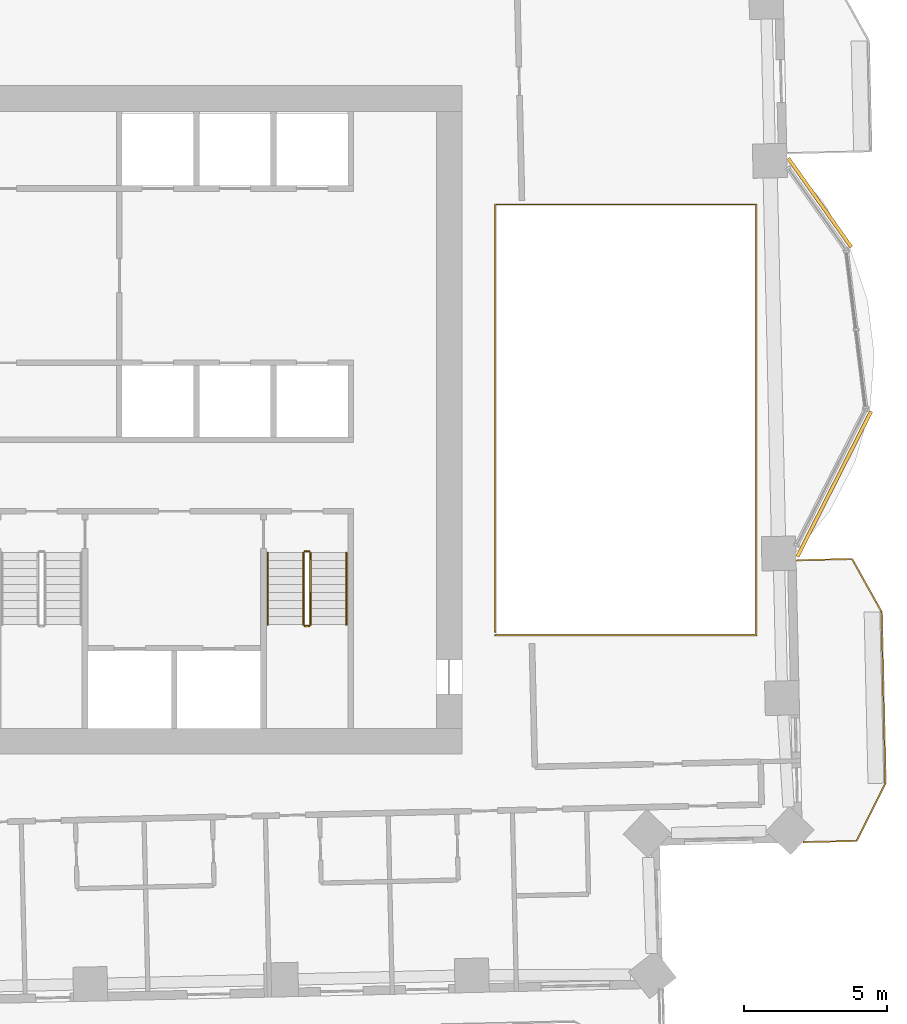
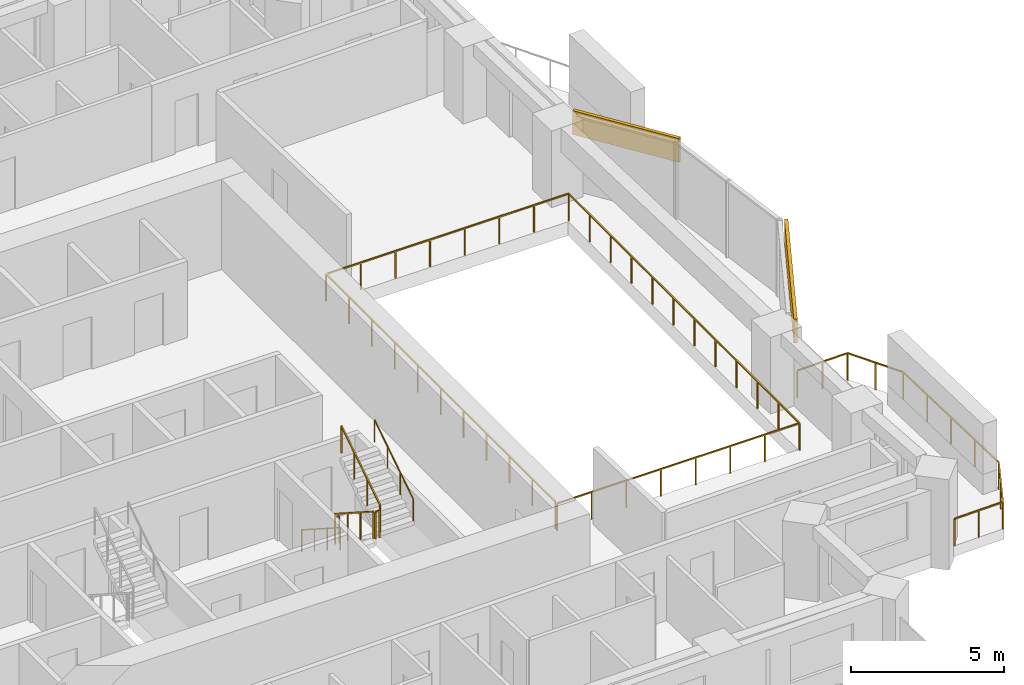
# One storey, part 15 of 16: 8 railings, 2 coverings.
"""IFC4 building model written with IfcOpenShell, lengths in metres."""

from ifc_helpers import new_model, si_unit, direction, frame, frame_2d, origin, origin_2d, place, context, subcontext, project, spatial, rectangle, circle, extrude, material, layer, layer_set, type_object, element, save


model = new_model("IFC4")

# Units and contexts
model_context = context("Model", 3, precision=1e-05, world=origin(), true_north=direction((0.0, 1.0)))
body_context = subcontext(model_context, "Body", "Model", "MODEL_VIEW")
ifc_project = project(units=[si_unit("LENGTHUNIT", "METRE"), si_unit("AREAUNIT", "SQUARE_METRE"), si_unit("VOLUMEUNIT", "CUBIC_METRE"), si_unit("PLANEANGLEUNIT", "RADIAN"), si_unit("MASSUNIT", "GRAM", prefix="KILO")], contexts=[model_context])

# Site, building, storey
site_placement = place(None, origin())
site = spatial("IfcSite", under=ifc_project, at=site_placement, CompositionType="ELEMENT")
building_placement = place(site_placement, origin())
building = spatial("IfcBuilding", under=site, at=building_placement, Name="Mangrove Gate Tower", CompositionType="ELEMENT")
storey_placement = place(building_placement, frame((0.0, 0.0, 175.300048828125)))
storey = spatial("IfcBuildingStorey", under=building, at=storey_placement, Name="L44", CompositionType="ELEMENT", Elevation=175.300048828125)

# Railings
ifc_material_1 = material(Name="Stainless steel grade 316 with laminated glass infill", Category="steel")
railing_type_1 = type_object("IfcRailingType", Name="Balcony guard 1100", PredefinedType="GUARDRAIL", material=ifc_material_1)
railing_1_placement = place(storey_placement, frame((26.658935546875, -14.785888671875, 0.0)))
element("IfcRailing", 1, at=railing_1_placement, inside=storey, type_object=railing_type_1, Name="GUARD L44 E1", PredefinedType="GUARDRAIL", context=body_context, shape_type="SweptSolid", body=[
    extrude(rectangle(XDim=0.048095703125, YDim=0.048095703125, at=origin_2d()), frame((0.0, 0.0, 1.076171875), z_axis=(0.999743329406, 0.02265558006, 0.0), x_axis=(-0.02265558006, 0.999743329406, 0.0)), (0.0, 0.0, 1.0), 1.853515625),
    extrude(rectangle(XDim=0.048095703125, YDim=0.048095703125, at=origin_2d()), frame((1.85302734375, 0.0419921875, 1.076171875), z_axis=(0.446868240177, 0.894599785335, 0.0), x_axis=(-0.894599785335, 0.446868240177, 0.0)), (0.0, 0.0, 1.0), 2.262451171875),
    extrude(rectangle(XDim=0.048095703125, YDim=0.048095703125, at=origin_2d()), frame((2.864013671875, 2.06591796875, 1.076171875), z_axis=(-0.022665943652, 0.999743094499, 0.0), x_axis=(-0.999743094499, -0.022665943652, 0.0)), (0.0, 0.0, 1.0), 5.99951171875),
    extrude(rectangle(XDim=0.048095703125, YDim=0.048095703125, at=origin_2d()), frame((2.72802734375, 8.06396484375, 1.076171875), z_axis=(-0.487147690962, 0.873319601973, 0.0), x_axis=(-0.873319601973, -0.487147690962, 0.0)), (0.0, 0.0, 1.0), 2.120361328125),
    extrude(rectangle(XDim=0.048095703125, YDim=0.048095703125, at=origin_2d()), frame((1.695068359375, 9.915771484375, 1.076171875), z_axis=(-0.999749396593, -0.022386246031, 0.0), x_axis=(0.022386246031, -0.999749396593, 0.0)), (0.0, 0.0, 1.0), 1.91943359375),
    extrude(rectangle(XDim=0.0419921875, YDim=0.0419921875, at=origin_2d()), origin(), (0.0, 0.0, 1.0), 1.052001953125),
    extrude(rectangle(XDim=0.0419921875, YDim=0.0419921875, at=origin_2d()), frame((0.926513671875, 0.02099609375, 0.0)), (0.0, 0.0, 1.0), 1.052001953125),
    extrude(rectangle(XDim=0.0419921875, YDim=0.0419921875, at=origin_2d()), frame((1.85302734375, 0.0419921875, 0.0)), (0.0, 0.0, 1.0), 1.052001953125),
    extrude(rectangle(XDim=0.0419921875, YDim=0.0419921875, at=origin_2d()), frame((2.3583984375, 1.053955078125, 0.0)), (0.0, 0.0, 1.0), 1.052001953125),
    extrude(rectangle(XDim=0.0419921875, YDim=0.0419921875, at=origin_2d()), frame((2.864013671875, 2.06591796875, 0.0)), (0.0, 0.0, 1.0), 1.052001953125),
    extrude(rectangle(XDim=0.0419921875, YDim=0.0419921875, at=origin_2d()), frame((2.830078125, 3.5654296875, 0.0)), (0.0, 0.0, 1.0), 1.052001953125),
    extrude(rectangle(XDim=0.0419921875, YDim=0.0419921875, at=origin_2d()), frame((2.7958984375, 5.06494140625, 0.0)), (0.0, 0.0, 1.0), 1.052001953125),
    extrude(rectangle(XDim=0.0419921875, YDim=0.0419921875, at=origin_2d()), frame((2.761962890625, 6.564453125, 0.0)), (0.0, 0.0, 1.0), 1.052001953125),
    extrude(rectangle(XDim=0.0419921875, YDim=0.0419921875, at=origin_2d()), frame((2.72802734375, 8.06396484375, 0.0)), (0.0, 0.0, 1.0), 1.052001953125),
    extrude(rectangle(XDim=0.0419921875, YDim=0.0419921875, at=origin_2d()), frame((2.21142578125, 8.98974609375, 0.0)), (0.0, 0.0, 1.0), 1.052001953125),
    extrude(rectangle(XDim=0.0419921875, YDim=0.0419921875, at=origin_2d()), frame((1.695068359375, 9.915771484375, 0.0)), (0.0, 0.0, 1.0), 1.052001953125),
    extrude(rectangle(XDim=0.0419921875, YDim=0.0419921875, at=origin_2d()), frame((0.735595703125, 9.894287109375, 0.0)), (0.0, 0.0, 1.0), 1.052001953125),
    extrude(rectangle(XDim=0.0419921875, YDim=0.0419921875, at=origin_2d()), frame((-0.223876953125, 9.872802734375, 0.0)), (0.0, 0.0, 1.0), 1.052001953125),
])
railing_2_placement = place(storey_placement, frame((15.860107421875, -7.5400390625, 0.0)))
element("IfcRailing", 2, at=railing_2_placement, inside=storey, type_object=railing_type_1, Name="GUARD L44 atrium", PredefinedType="GUARDRAIL", context=body_context, shape_type="SweptSolid", body=[
    extrude(rectangle(XDim=0.048095703125, YDim=0.048095703125, at=origin_2d()), frame((0.0, 0.0, 1.076171875), z_axis=(1.0, 0.0, 0.0), x_axis=(0.0, 1.0, 0.0)), (0.0, 0.0, 1.0), 9.143798828125),
    extrude(rectangle(XDim=0.048095703125, YDim=0.048095703125, at=origin_2d()), frame((9.143798828125, 0.0, 1.076171875), z_axis=(0.0, 1.0, 0.0), x_axis=(-1.0, 0.0, 0.0)), (0.0, 0.0, 1.0), 15.080078125),
    extrude(rectangle(XDim=0.048095703125, YDim=0.048095703125, at=origin_2d()), frame((9.143798828125, 15.080078125, 1.076171875), z_axis=(-1.0, 0.0, 0.0), x_axis=(0.0, -1.0, 0.0)), (0.0, 0.0, 1.0), 9.143798828125),
    extrude(rectangle(XDim=0.048095703125, YDim=0.048095703125, at=origin_2d()), frame((0.0, 15.080078125, 1.076171875), z_axis=(0.0, -1.0, 0.0), x_axis=(1.0, 0.0, 0.0)), (0.0, 0.0, 1.0), 14.9599609375),
    extrude(rectangle(XDim=0.0419921875, YDim=0.0419921875, at=origin_2d()), origin(), (0.0, 0.0, 1.0), 1.052001953125),
    extrude(rectangle(XDim=0.0419921875, YDim=0.0419921875, at=origin_2d()), frame((1.30615234375, 0.0, 0.0)), (0.0, 0.0, 1.0), 1.052001953125),
    extrude(rectangle(XDim=0.0419921875, YDim=0.0419921875, at=origin_2d()), frame((2.612548828125, 0.0, 0.0)), (0.0, 0.0, 1.0), 1.052001953125),
    extrude(rectangle(XDim=0.0419921875, YDim=0.0419921875, at=origin_2d()), frame((3.918701171875, 0.0, 0.0)), (0.0, 0.0, 1.0), 1.052001953125),
    extrude(rectangle(XDim=0.0419921875, YDim=0.0419921875, at=origin_2d()), frame((5.22509765625, 0.0, 0.0)), (0.0, 0.0, 1.0), 1.052001953125),
    extrude(rectangle(XDim=0.0419921875, YDim=0.0419921875, at=origin_2d()), frame((6.53125, 0.0, 0.0)), (0.0, 0.0, 1.0), 1.052001953125),
    extrude(rectangle(XDim=0.0419921875, YDim=0.0419921875, at=origin_2d()), frame((7.837646484375, 0.0, 0.0)), (0.0, 0.0, 1.0), 1.052001953125),
    extrude(rectangle(XDim=0.0419921875, YDim=0.0419921875, at=origin_2d()), frame((9.143798828125, 0.0, 0.0)), (0.0, 0.0, 1.0), 1.052001953125),
    extrude(rectangle(XDim=0.0419921875, YDim=0.0419921875, at=origin_2d()), frame((9.143798828125, 1.370849609375, 0.0)), (0.0, 0.0, 1.0), 1.052001953125),
    extrude(rectangle(XDim=0.0419921875, YDim=0.0419921875, at=origin_2d()), frame((9.143798828125, 2.741943359375, 0.0)), (0.0, 0.0, 1.0), 1.052001953125),
    extrude(rectangle(XDim=0.0419921875, YDim=0.0419921875, at=origin_2d()), frame((9.143798828125, 4.11279296875, 0.0)), (0.0, 0.0, 1.0), 1.052001953125),
    extrude(rectangle(XDim=0.0419921875, YDim=0.0419921875, at=origin_2d()), frame((9.143798828125, 5.483642578125, 0.0)), (0.0, 0.0, 1.0), 1.052001953125),
    extrude(rectangle(XDim=0.0419921875, YDim=0.0419921875, at=origin_2d()), frame((9.143798828125, 6.8544921875, 0.0)), (0.0, 0.0, 1.0), 1.052001953125),
    extrude(rectangle(XDim=0.0419921875, YDim=0.0419921875, at=origin_2d()), frame((9.143798828125, 8.2255859375, 0.0)), (0.0, 0.0, 1.0), 1.052001953125),
    extrude(rectangle(XDim=0.0419921875, YDim=0.0419921875, at=origin_2d()), frame((9.143798828125, 9.596435546875, 0.0)), (0.0, 0.0, 1.0), 1.052001953125),
    extrude(rectangle(XDim=0.0419921875, YDim=0.0419921875, at=origin_2d()), frame((9.143798828125, 10.96728515625, 0.0)), (0.0, 0.0, 1.0), 1.052001953125),
    extrude(rectangle(XDim=0.0419921875, YDim=0.0419921875, at=origin_2d()), frame((9.143798828125, 12.338134765625, 0.0)), (0.0, 0.0, 1.0), 1.052001953125),
    extrude(rectangle(XDim=0.0419921875, YDim=0.0419921875, at=origin_2d()), frame((9.143798828125, 13.709228515625, 0.0)), (0.0, 0.0, 1.0), 1.052001953125),
    extrude(rectangle(XDim=0.0419921875, YDim=0.0419921875, at=origin_2d()), frame((9.143798828125, 15.080078125, 0.0)), (0.0, 0.0, 1.0), 1.052001953125),
    extrude(rectangle(XDim=0.0419921875, YDim=0.0419921875, at=origin_2d()), frame((7.837646484375, 15.080078125, 0.0)), (0.0, 0.0, 1.0), 1.052001953125),
    extrude(rectangle(XDim=0.0419921875, YDim=0.0419921875, at=origin_2d()), frame((6.53125, 15.080078125, 0.0)), (0.0, 0.0, 1.0), 1.052001953125),
    extrude(rectangle(XDim=0.0419921875, YDim=0.0419921875, at=origin_2d()), frame((5.22509765625, 15.080078125, 0.0)), (0.0, 0.0, 1.0), 1.052001953125),
    extrude(rectangle(XDim=0.0419921875, YDim=0.0419921875, at=origin_2d()), frame((3.918701171875, 15.080078125, 0.0)), (0.0, 0.0, 1.0), 1.052001953125),
    extrude(rectangle(XDim=0.0419921875, YDim=0.0419921875, at=origin_2d()), frame((2.612548828125, 15.080078125, 0.0)), (0.0, 0.0, 1.0), 1.052001953125),
    extrude(rectangle(XDim=0.0419921875, YDim=0.0419921875, at=origin_2d()), frame((1.30615234375, 15.080078125, 0.0)), (0.0, 0.0, 1.0), 1.052001953125),
    extrude(rectangle(XDim=0.0419921875, YDim=0.0419921875, at=origin_2d()), frame((0.0, 15.080078125, 0.0)), (0.0, 0.0, 1.0), 1.052001953125),
    extrude(rectangle(XDim=0.0419921875, YDim=0.0419921875, at=origin_2d()), frame((0.0, 13.583984375, 0.0)), (0.0, 0.0, 1.0), 1.052001953125),
    extrude(rectangle(XDim=0.0419921875, YDim=0.0419921875, at=origin_2d()), frame((0.0, 12.088134765625, 0.0)), (0.0, 0.0, 1.0), 1.052001953125),
    extrude(rectangle(XDim=0.0419921875, YDim=0.0419921875, at=origin_2d()), frame((0.0, 10.592041015625, 0.0)), (0.0, 0.0, 1.0), 1.052001953125),
    extrude(rectangle(XDim=0.0419921875, YDim=0.0419921875, at=origin_2d()), frame((0.0, 9.09619140625, 0.0)), (0.0, 0.0, 1.0), 1.052001953125),
    extrude(rectangle(XDim=0.0419921875, YDim=0.0419921875, at=origin_2d()), frame((0.0, 7.60009765625, 0.0)), (0.0, 0.0, 1.0), 1.052001953125),
    extrude(rectangle(XDim=0.0419921875, YDim=0.0419921875, at=origin_2d()), frame((0.0, 6.10400390625, 0.0)), (0.0, 0.0, 1.0), 1.052001953125),
    extrude(rectangle(XDim=0.0419921875, YDim=0.0419921875, at=origin_2d()), frame((0.0, 4.608154296875, 0.0)), (0.0, 0.0, 1.0), 1.052001953125),
    extrude(rectangle(XDim=0.0419921875, YDim=0.0419921875, at=origin_2d()), frame((0.0, 3.112060546875, 0.0)), (0.0, 0.0, 1.0), 1.052001953125),
    extrude(rectangle(XDim=0.0419921875, YDim=0.0419921875, at=origin_2d()), frame((0.0, 1.6162109375, 0.0)), (0.0, 0.0, 1.0), 1.052001953125),
    extrude(rectangle(XDim=0.0419921875, YDim=0.0419921875, at=origin_2d()), frame((0.0, 0.1201171875, 0.0)), (0.0, 0.0, 1.0), 1.052001953125),
])
ifc_material_2 = material(Name="Stainless steel 316", Category="steel")
railing_type_2 = type_object("IfcRailingType", Name="Core stair guard 1100", PredefinedType="GUARDRAIL", material=ifc_material_2)
railing_3_placement = place(storey_placement, frame((9.14990234375, -4.64990234375, 0.179931640625)))
element("IfcRailing", 3, at=railing_3_placement, inside=storey, type_object=railing_type_2, Name="L44 ST3 stair guard 1", PredefinedType="GUARDRAIL", context=body_context, shape_type="SweptSolid", body=[
    extrude(rectangle(XDim=0.048095703125, YDim=0.048095703125, at=origin_2d()), frame((0.0, 0.0, 1.076171875), z_axis=(0.0, -0.841162588446, 0.540782303519), x_axis=(1.0, 0.0, 0.0)), (0.0, 0.0, 1.0), 2.995849609375),
    extrude(rectangle(XDim=0.0419921875, YDim=0.0419921875, at=origin_2d()), origin(), (0.0, 0.0, 1.0), 1.052001953125),
    extrude(rectangle(XDim=0.0419921875, YDim=0.0419921875, at=origin_2d()), frame((0.0, -0.840087890625, 0.5400390625)), (0.0, 0.0, 1.0), 1.052001953125),
    extrude(rectangle(XDim=0.0419921875, YDim=0.0419921875, at=origin_2d()), frame((0.0, -1.679931640625, 1.080078125)), (0.0, 0.0, 1.0), 1.052001953125),
    extrude(rectangle(XDim=0.0419921875, YDim=0.0419921875, at=origin_2d()), frame((0.0, -2.52001953125, 1.6201171875)), (0.0, 0.0, 1.0), 1.052001953125),
])
railing_4_placement = place(storey_placement, frame((9.199951171875, -7.219970703125, 1.800048828125)))
element("IfcRailing", 4, at=railing_4_placement, inside=storey, type_object=railing_type_2, Name="L44 ST3 stair guard 2", PredefinedType="GUARDRAIL", context=body_context, shape_type="SweptSolid", body=[
    extrude(rectangle(XDim=0.048095703125, YDim=0.048095703125, at=origin_2d()), frame((0.0, 0.0, 1.076171875), z_axis=(1.0, 0.0, 0.0), x_axis=(0.0, 1.0, 0.0)), (0.0, 0.0, 1.0), 0.150146484375),
    extrude(rectangle(XDim=0.0419921875, YDim=0.0419921875, at=origin_2d()), origin(), (0.0, 0.0, 1.0), 1.052001953125),
    extrude(rectangle(XDim=0.0419921875, YDim=0.0419921875, at=origin_2d()), frame((0.150146484375, 0.0, 0.0)), (0.0, 0.0, 1.0), 1.052001953125),
])
railing_5_placement = place(storey_placement, frame((9.39990234375, -7.169921875, 1.97998046875)))
element("IfcRailing", 5, at=railing_5_placement, inside=storey, type_object=railing_type_2, Name="L44 ST3 stair guard 3", PredefinedType="GUARDRAIL", context=body_context, shape_type="SweptSolid", body=[
    extrude(rectangle(XDim=0.048095703125, YDim=0.048095703125, at=origin_2d()), frame((0.0, 0.0, 1.076171875), z_axis=(0.0, 0.841199657755, 0.540724639528), x_axis=(-1.0, 0.0, 0.0)), (0.0, 0.0, 1.0), 2.995849609375),
    extrude(rectangle(XDim=0.0419921875, YDim=0.0419921875, at=origin_2d()), origin(), (0.0, 0.0, 1.0), 1.052001953125),
    extrude(rectangle(XDim=0.0419921875, YDim=0.0419921875, at=origin_2d()), frame((0.0, 0.840087890625, 0.5400390625)), (0.0, 0.0, 1.0), 1.052001953125),
    extrude(rectangle(XDim=0.0419921875, YDim=0.0419921875, at=origin_2d()), frame((0.0, 1.679931640625, 1.079833984375)), (0.0, 0.0, 1.0), 1.052001953125),
    extrude(rectangle(XDim=0.0419921875, YDim=0.0419921875, at=origin_2d()), frame((0.0, 2.52001953125, 1.619873046875)), (0.0, 0.0, 1.0), 1.052001953125),
])
railing_6_placement = place(storey_placement, frame((9.199951171875, -4.60009765625, 0.0)))
element("IfcRailing", 6, at=railing_6_placement, inside=storey, type_object=railing_type_2, Name="L44 ST3 stair guard 4", PredefinedType="GUARDRAIL", context=body_context, shape_type="SweptSolid", body=[
    extrude(rectangle(XDim=0.048095703125, YDim=0.048095703125, at=origin_2d()), frame((0.0, 0.0, 1.076171875), z_axis=(1.0, 0.0, 0.0), x_axis=(0.0, 1.0, 0.0)), (0.0, 0.0, 1.0), 0.150146484375),
    extrude(rectangle(XDim=0.0419921875, YDim=0.0419921875, at=origin_2d()), origin(), (0.0, 0.0, 1.0), 1.052001953125),
    extrude(rectangle(XDim=0.0419921875, YDim=0.0419921875, at=origin_2d()), frame((0.150146484375, 0.0, 0.0)), (0.0, 0.0, 1.0), 1.052001953125),
])
ifc_material_3 = material(Name="Stainless steel 316", Category="steel")
railing_type_3 = type_object("IfcRailingType", Name="Core stair handrail 900", PredefinedType="HANDRAIL", material=ifc_material_3)
railing_7_placement = place(storey_placement, frame((7.89990234375, -4.64990234375, 0.179931640625)))
element("IfcRailing", 7, at=railing_7_placement, inside=storey, type_object=railing_type_3, Name="L44 ST3 stair handrail 1", PredefinedType="HANDRAIL", context=body_context, shape_type="SweptSolid", body=[
    extrude(circle(Radius=0.02392578125, at=origin_2d()), frame((0.0, 0.0, 0.8759765625), z_axis=(0.0, -0.841162588446, 0.540782303519), x_axis=(1.0, 0.0, 0.0)), (0.0, 0.0, 1.0), 2.995849609375),
    extrude(circle(Radius=0.02099609375, at=origin_2d()), origin(), (0.0, 0.0, 1.0), 0.851806640625),
    extrude(circle(Radius=0.02099609375, at=origin_2d()), frame((0.0, -0.840087890625, 0.5400390625)), (0.0, 0.0, 1.0), 0.851806640625),
    extrude(circle(Radius=0.02099609375, at=origin_2d()), frame((0.0, -1.679931640625, 1.080078125)), (0.0, 0.0, 1.0), 0.851806640625),
    extrude(circle(Radius=0.02099609375, at=origin_2d()), frame((0.0, -2.52001953125, 1.6201171875)), (0.0, 0.0, 1.0), 0.851806640625),
])
railing_8_placement = place(storey_placement, frame((10.64990234375, -7.169921875, 1.97998046875)))
element("IfcRailing", 8, at=railing_8_placement, inside=storey, type_object=railing_type_3, Name="L44 ST3 stair handrail 2", PredefinedType="HANDRAIL", context=body_context, shape_type="SweptSolid", body=[
    extrude(circle(Radius=0.02392578125, at=origin_2d()), frame((0.0, 0.0, 0.8759765625), z_axis=(0.0, 0.841199657755, 0.540724639528), x_axis=(-1.0, 0.0, 0.0)), (0.0, 0.0, 1.0), 2.995849609375),
    extrude(circle(Radius=0.02099609375, at=origin_2d()), origin(), (0.0, 0.0, 1.0), 0.851806640625),
    extrude(circle(Radius=0.02099609375, at=origin_2d()), frame((0.0, 0.840087890625, 0.5400390625)), (0.0, 0.0, 1.0), 0.851806640625),
    extrude(circle(Radius=0.02099609375, at=origin_2d()), frame((0.0, 1.679931640625, 1.079833984375)), (0.0, 0.0, 1.0), 0.851806640625),
    extrude(circle(Radius=0.02099609375, at=origin_2d()), frame((0.0, 2.52001953125, 1.619873046875)), (0.0, 0.0, 1.0), 0.851806640625),
])

# Coverings
ifc_material_4 = material(Name="Limestone", Category="masonry")
ifc_layer_1 = layer(ifc_material_4, 0.0400390625, Name="Limestone cladding")
ifc_material_5 = material(Name="Stainless steel anchors and cavity", Category="steel")
ifc_layer_2 = layer(ifc_material_5, 0.080078125, Name="Fixing cavity")
ifc_layer_set = layer_set([ifc_layer_1, ifc_layer_2], Name="Joint fascia cladding 120")
covering_type = type_object("IfcCoveringType", Name="Joint fascia cladding 120", PredefinedType="CLADDING", material=ifc_layer_set)
covering_1_placement = place(storey_placement, frame((26.4423828125, -4.788330078125, 2.099853515625), z_axis=(0.0, 0.0, 1.0), x_axis=(0.452512280568, 0.891758171219, 0.0)))
element("IfcCovering", 9, at=covering_1_placement, inside=storey, type_object=covering_type, Name="STONE FASCIA L44 E1.L1", PredefinedType="CLADDING", context=body_context, shape_type="SweptSolid", body=[
    extrude(rectangle(XDim=5.704833984375, YDim=0.1201171875, at=frame_2d((2.8525390625, 0.0))), origin(), (0.0, 0.0, 1.0), 0.9501953125),
])
covering_2_placement = place(storey_placement, frame((28.327880859375, 6.047119140625, 2.099853515625), z_axis=(0.0, 0.0, 1.0), x_axis=(-0.578125537526, 0.815947830968, 0.0)))
element("IfcCovering", 10, at=covering_2_placement, inside=storey, type_object=covering_type, Name="STONE FASCIA L44 E1.L2", PredefinedType="CLADDING", context=body_context, shape_type="SweptSolid", body=[
    extrude(rectangle(XDim=3.81884765625, YDim=0.1201171875, at=frame_2d((1.909423828125, 0.0))), origin(), (0.0, 0.0, 1.0), 0.9501953125),
])

save(model, "model.ifc")
